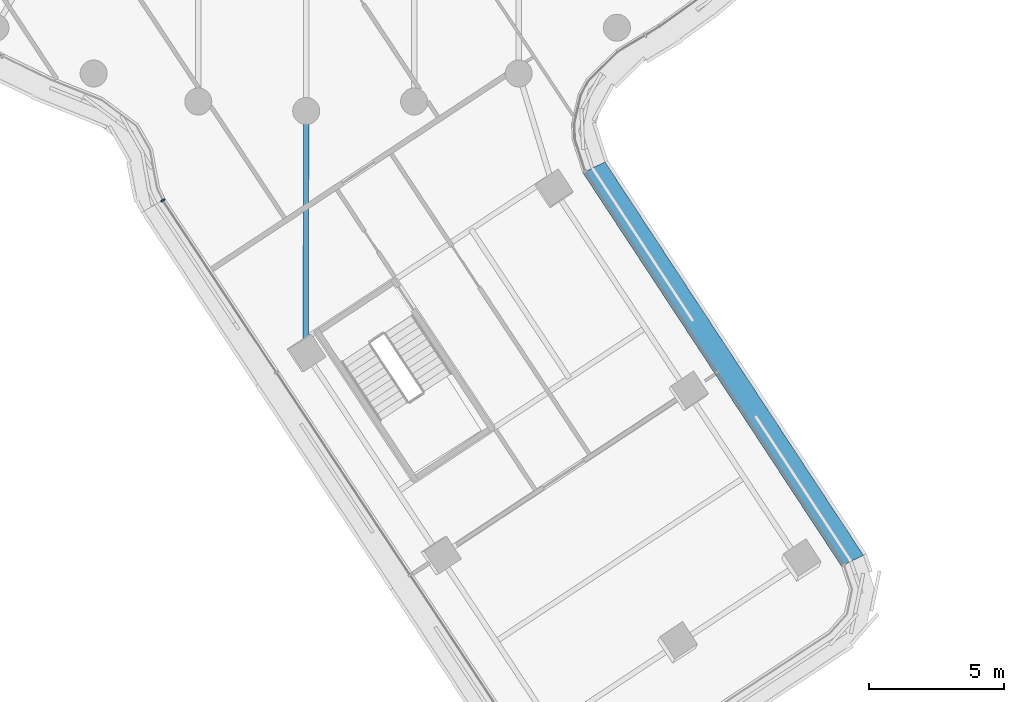
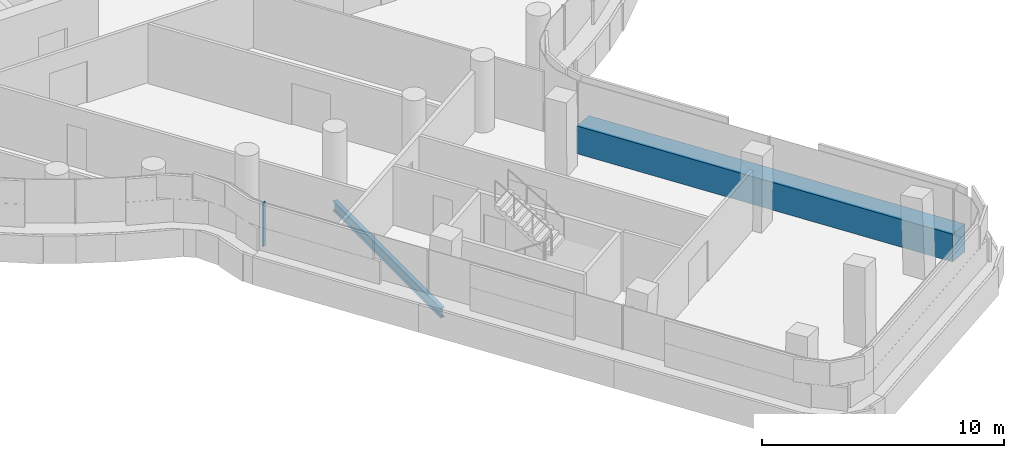
# One storey, part 5 of 35: 2 members, 1 beam, 2 elements without a shape of their own.
"""IFC4 building model written with IfcOpenShell, lengths in metres."""

from ifc_helpers import new_model, si_unit, direction, frame, origin, origin_2d, place, context, subcontext, project, spatial, polyline, rectangle, i_section, outline, extrude, material, layer, layer_set, material_profile, profile_set, type_object, element, aggregate, save


model = new_model("IFC4")

# Units and contexts
model_context = context("Model", 3, precision=1e-05, world=origin(), true_north=direction((0.0, 1.0)))
body_context = subcontext(model_context, "Body", "Model", "MODEL_VIEW")
ifc_project = project(units=[si_unit("LENGTHUNIT", "METRE"), si_unit("AREAUNIT", "SQUARE_METRE"), si_unit("VOLUMEUNIT", "CUBIC_METRE"), si_unit("PLANEANGLEUNIT", "RADIAN"), si_unit("MASSUNIT", "GRAM", prefix="KILO")], contexts=[model_context])

# Site, building, storey
site_placement = place(None, origin())
site = spatial("IfcSite", under=ifc_project, at=site_placement, CompositionType="ELEMENT")
building_placement = place(site_placement, origin())
building = spatial("IfcBuilding", under=site, at=building_placement, Name="Tamarind Cross Interchange Tower", CompositionType="ELEMENT")
storey_placement = place(building_placement, frame((0.0, 0.0, 155.5)))
storey = spatial("IfcBuildingStorey", under=building, at=storey_placement, Name="L38", CompositionType="ELEMENT", Elevation=155.5)

# Beam
ifc_material_1 = material(Name="Steel Q355B", Category="steel")
ifc_material_profile_1 = material_profile(ifc_material_1, i_section(OverallWidth=0.198974609375, OverallDepth=0.49609375, WebThickness=0.009033203125, FlangeThickness=0.013916015625, FilletRadius=0.012939453125, at=origin_2d()), Name="HN 496x199x9x14")
ifc_profile_set_1 = profile_set([ifc_material_profile_1], Name="Steel Q355B")
beam_type = type_object("IfcBeamType", Name="Composite beam HN 496x199x9x14 Q355B", PredefinedType="BEAM", material=ifc_profile_set_1)
beam_placement = place(storey_placement, frame((-0.016845703125, -31.956787109375, -0.387939453125), z_axis=(0.00188077188, 0.999998231347, 0.0), x_axis=(-0.999998231347, 0.00188077188, 0.0)))
element("IfcBeam", 1, at=beam_placement, inside=storey, type_object=beam_type, Name="Beam S-linkem", PredefinedType="BEAM", context=body_context, shape_type="SweptSolid", body=[
    extrude(i_section(OverallWidth=0.198974609375, OverallDepth=0.49609375, WebThickness=0.009033203125, FlangeThickness=0.013916015625, FilletRadius=0.012939453125, at=origin_2d()), origin(), (0.0, 0.0, 1.0), 8.956787109375),
])

# Curtain wall, member
ifc_material_2 = material(Name="Aluminium 6063-T6", Category="aluminium")
ifc_layer = layer(ifc_material_2, 0.159912109375)
ifc_layer_set = layer_set([ifc_layer], Name="Aluminium 6063-T6")
curtain_wall_type = type_object("IfcCurtainWallType", Name="Office curtain wall, 9.0 m bays", PredefinedType="NOTDEFINED", material=ifc_layer_set)
curtain_wall_1_placement = place(storey_placement, origin())
curtain_wall_1 = element("IfcCurtainWall", 2, at=curtain_wall_1_placement, inside=storey, type_object=curtain_wall_type, Name="CWS-L38-09", PredefinedType="NOTDEFINED")
ifc_material_3 = material(Name="Aluminium and insulated spandrel panel", Category="aluminium")
member_type_1 = type_object("IfcMemberType", Name="Floor-edge blade transom", PredefinedType="USERDEFINED", material=ifc_material_3)
member_1_placement = place(storey_placement, origin())
member_1 = element("IfcMember", 3, at=member_1_placement, type_object=member_type_1, Name="CWT-L38-09", ObjectType="TRANSOM", PredefinedType="USERDEFINED", context=body_context, shape_type="SweptSolid", body=[
    extrude(outline(polyline([(19.806396484375, -39.839111328125), (10.23828125, -25.28173828125), (11.056884765625, -24.888671875), (20.623046875, -39.443115234375), (19.806396484375, -39.839111328125)])), origin(), (0.0, 0.0, 1.0), 1.39990234375),
])
aggregate(curtain_wall_1, [member_1])

curtain_wall_2_placement = place(storey_placement, origin())
curtain_wall_2 = element("IfcCurtainWall", 4, at=curtain_wall_2_placement, inside=storey, type_object=curtain_wall_type, Name="CWS-L38-07", PredefinedType="NOTDEFINED")
ifc_material_profile_2 = material_profile(ifc_material_2, rectangle(XDim=0.06005859375, YDim=0.159912109375, at=origin_2d()), Name="Mullion CW1")
ifc_profile_set_2 = profile_set([ifc_material_profile_2], Name="Aluminium 6063-T6")
member_type_2 = type_object("IfcMemberType", Name="Mullion CW1", PredefinedType="MULLION", material=ifc_profile_set_2)
member_2_placement = place(storey_placement, frame((-5.304931640625, -26.306884765625, 1.39990234375), z_axis=(0.0, 0.0, 1.0), x_axis=(0.495210016269, -0.868773295968, 0.0)))
member_2 = element("IfcMember", 5, at=member_2_placement, type_object=member_type_2, Name="CWM-L38-07-00", PredefinedType="MULLION", context=body_context, shape_type="SweptSolid", body=[
    extrude(rectangle(XDim=0.06005859375, YDim=0.159912109375, at=origin_2d()), origin(), (0.0, 0.0, 1.0), 2.210205078125),
])
aggregate(curtain_wall_2, [member_2])

save(model, "model.ifc")
